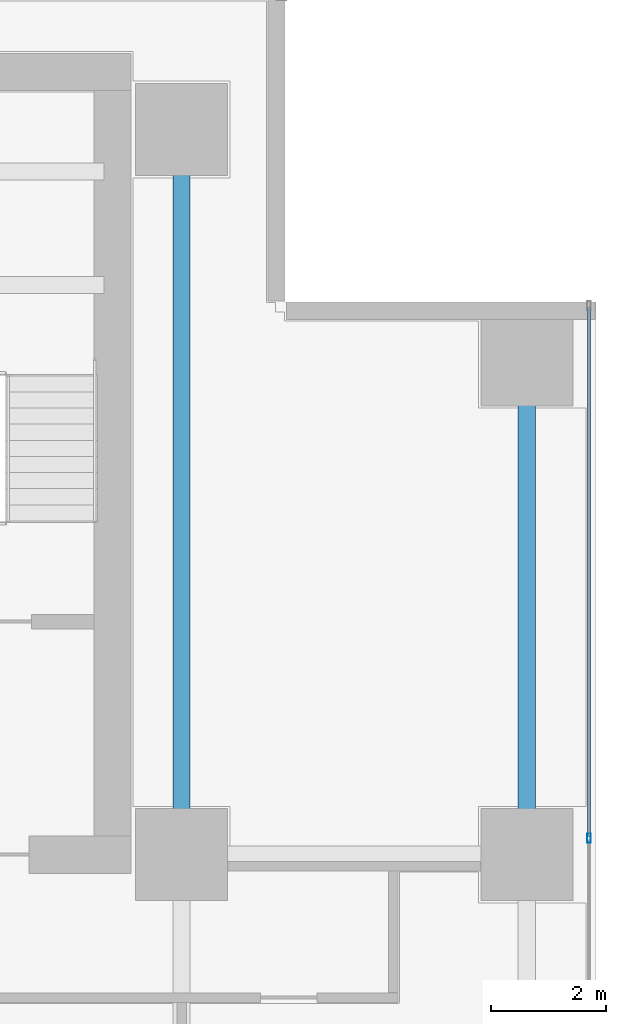
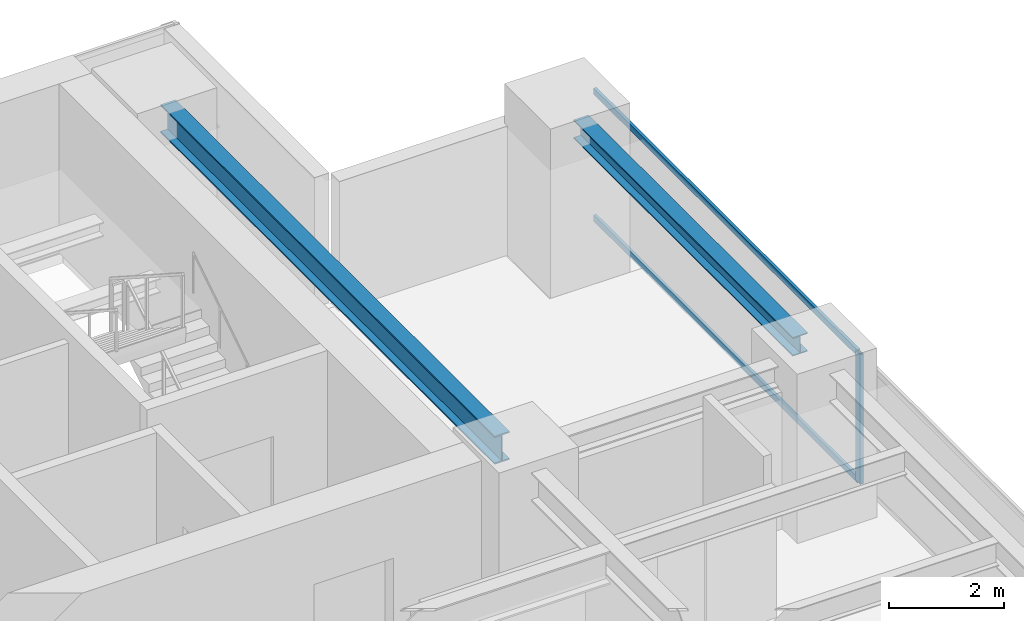
# One storey, part 18 of 27: 3 members, 2 beams, 1 element without a shape of its own.
"""IFC4 building model written with IfcOpenShell, lengths in metres."""

from ifc_helpers import new_model, si_unit, direction, frame, origin, origin_2d, place, context, subcontext, project, spatial, hollow_rectangle, i_section, extrude, source, transform, mapped, material, layer, layer_set, material_profile, profile_set, type_object, element, aggregate, save


model = new_model("IFC4")

# Units and contexts
model_context = context("Model", 3, precision=1e-05, world=origin(), true_north=direction((0.0, 1.0)))
body_context = subcontext(model_context, "Body", "Model", "MODEL_VIEW")
ifc_project = project(units=[si_unit("LENGTHUNIT", "METRE"), si_unit("AREAUNIT", "SQUARE_METRE"), si_unit("VOLUMEUNIT", "CUBIC_METRE"), si_unit("PLANEANGLEUNIT", "RADIAN"), si_unit("MASSUNIT", "GRAM", prefix="KILO")], contexts=[model_context])

# Site, building, storey
site_placement = place(None, origin())
site = spatial("IfcSite", under=ifc_project, at=site_placement, CompositionType="ELEMENT")
building_placement = place(site_placement, origin())
building = spatial("IfcBuilding", under=site, at=building_placement, Name="Sumidabori Civic Tower", CompositionType="ELEMENT")
storey_placement = place(building_placement, frame((0.0, 0.0, 156.800048828125)))
storey = spatial("IfcBuildingStorey", under=building, at=storey_placement, Name="L40", CompositionType="ELEMENT", Elevation=156.800048828125)

# Beams
ifc_material_1 = material(Name="Steel SN490", Category="steel")
ifc_material_profile_1 = material_profile(ifc_material_1, i_section(OverallWidth=0.300048828125, OverallDepth=0.39990234375, WebThickness=0.013427734375, FlangeThickness=0.02392578125, at=origin_2d()), Name="HE 400 B")
ifc_profile_set_1 = profile_set([ifc_material_profile_1], Name="Steel SN490")
beam_type_1 = type_object("IfcBeamType", Name="BM-GIRD-400", PredefinedType="BEAM", material=ifc_profile_set_1)
shared_shape_1 = source(origin(), body_context, "Body", "SweptSolid", [
    extrude(i_section(OverallWidth=0.300048828125, OverallDepth=0.39990234375, WebThickness=0.013427734375, FlangeThickness=0.02392578125, at=origin_2d()), origin(), (0.0, 0.0, 1.0), 7.64013671875),
])
beam_1_placement = place(storey_placement, frame((22.800048828125, 10.679931640625, 3.179931640625), z_axis=(0.0, 1.0, 0.0), x_axis=(-1.0, 0.0, 0.0)))
element("IfcBeam", 1, at=beam_1_placement, inside=storey, type_object=beam_type_1, Name="Primary Girder L40 GY-38", PredefinedType="BEAM", context=body_context, shape_type="MappedRepresentation", body=[
    mapped(shared_shape_1, transform((0.0, 0.0, 0.0), x_axis=(1.0, 0.0, 0.0), y_axis=(0.0, 1.0, 0.0), z_axis=(0.0, 0.0, 1.0), scale=1.0)),
])
ifc_material_profile_2 = material_profile(ifc_material_1, i_section(OverallWidth=0.300048828125, OverallDepth=0.60009765625, WebThickness=0.015380859375, FlangeThickness=0.030029296875, at=origin_2d()), Name="HE 600 B")
ifc_profile_set_2 = profile_set([ifc_material_profile_2], Name="Steel SN490")
beam_type_2 = type_object("IfcBeamType", Name="BM-GIRD-600", PredefinedType="BEAM", material=ifc_profile_set_2)
shared_shape_2 = source(origin(), body_context, "Body", "SweptSolid", [
    extrude(i_section(OverallWidth=0.300048828125, OverallDepth=0.60009765625, WebThickness=0.015380859375, FlangeThickness=0.030029296875, at=origin_2d()), origin(), (0.0, 0.0, 1.0), 11.64013671875),
])
beam_2_placement = place(storey_placement, frame((16.800048828125, 10.679931640625, 3.079833984375), z_axis=(0.0, 1.0, 0.0), x_axis=(-1.0, 0.0, 0.0)))
element("IfcBeam", 2, at=beam_2_placement, inside=storey, type_object=beam_type_2, Name="Primary Girder L40 GY-35", PredefinedType="BEAM", context=body_context, shape_type="MappedRepresentation", body=[
    mapped(shared_shape_2, transform((0.0, 0.0, 0.0), x_axis=(1.0, 0.0, 0.0), y_axis=(0.0, 1.0, 0.0), z_axis=(0.0, 0.0, 1.0), scale=1.0)),
])

# Curtain wall, members
ifc_material_2 = material(Name="Anodised Bronze Aluminium AW-6063-T6", Category="aluminium")
ifc_layer = layer(ifc_material_2, 0.179931640625, Name="Anodised Bronze Aluminium AW-6063-T6")
ifc_layer_set = layer_set([ifc_layer], Name="Anodised Bronze Aluminium AW-6063-T6")
curtain_wall_type = type_object("IfcCurtainWallType", Name="CW-SYS-3", PredefinedType="NOTDEFINED", material=ifc_layer_set)
curtain_wall_placement = place(storey_placement, origin())
curtain_wall = element("IfcCurtainWall", 3, at=curtain_wall_placement, inside=storey, type_object=curtain_wall_type, Name="Curtain Wall CW:L40:R04", PredefinedType="NOTDEFINED")
ifc_material_profile_3 = material_profile(ifc_material_2, hollow_rectangle(XDim=0.06494140625, YDim=0.159912109375, WallThickness=0.0048828125, at=origin_2d()), Name="ALU MULLION 160x65")
ifc_profile_set_3 = profile_set([ifc_material_profile_3], Name="Anodised Bronze Aluminium AW-6063-T6")
member_type_1 = type_object("IfcMemberType", Name="CW-MUL-160", PredefinedType="MULLION", material=ifc_profile_set_3)
shared_shape_3 = source(origin(), body_context, "Body", "SweptSolid", [
    extrude(hollow_rectangle(XDim=0.06494140625, YDim=0.159912109375, WallThickness=0.0048828125, at=origin_2d()), origin(), (0.0, 0.0, 1.0), 2.760009765625),
])
member_1_placement = place(storey_placement, frame((23.8798828125, 10.485107421875, 0.0), z_axis=(0.0, 0.0, 1.0), x_axis=(-1.0, 0.0, 0.0)))
member_1 = element("IfcMember", 4, at=member_1_placement, type_object=member_type_1, Name="CW-3 mullion 4", PredefinedType="MULLION", context=body_context, shape_type="MappedRepresentation", body=[
    mapped(shared_shape_3, transform((0.0, 0.0, 0.0), x_axis=(1.0, 0.0, 0.0), y_axis=(0.0, 1.0, 0.0), z_axis=(0.0, 0.0, 1.0), scale=1.0)),
])
ifc_material_profile_4 = material_profile(ifc_material_2, hollow_rectangle(XDim=0.06005859375, YDim=0.1298828125, WallThickness=0.0048828125, at=origin_2d()), Name="ALU TRANSOM 130x60")
ifc_profile_set_4 = profile_set([ifc_material_profile_4], Name="Anodised Bronze Aluminium AW-6063-T6")
member_type_2 = type_object("IfcMemberType", Name="CW-TRN-130", PredefinedType="USERDEFINED", material=ifc_profile_set_4)
shared_shape_4 = source(origin(), body_context, "Body", "SweptSolid", [
    extrude(hollow_rectangle(XDim=0.06005859375, YDim=0.1298828125, WallThickness=0.0048828125, at=origin_2d()), origin(), (0.0, 0.0, 1.0), 9.1875),
])
member_2_placement = place(storey_placement, frame((23.8798828125, 10.517578125, 0.030029296875), z_axis=(0.0, 1.0, 0.0), x_axis=(-1.0, 0.0, 0.0)))
member_2 = element("IfcMember", 5, at=member_2_placement, type_object=member_type_2, Name="CW-3 transom 4.1", ObjectType="TRANSOM", PredefinedType="USERDEFINED", context=body_context, shape_type="MappedRepresentation", body=[
    mapped(shared_shape_4, transform((0.0, 0.0, 0.0), x_axis=(1.0, 0.0, 0.0), y_axis=(0.0, 1.0, 0.0), z_axis=(0.0, 0.0, 1.0), scale=1.0)),
])
member_3_placement = place(storey_placement, frame((23.8798828125, 10.517578125, 2.72998046875), z_axis=(0.0, 1.0, 0.0), x_axis=(-1.0, 0.0, 0.0)))
member_3 = element("IfcMember", 6, at=member_3_placement, type_object=member_type_2, Name="CW-3 transom 4.2", ObjectType="TRANSOM", PredefinedType="USERDEFINED", context=body_context, shape_type="MappedRepresentation", body=[
    mapped(shared_shape_4, transform((0.0, 0.0, 0.0), x_axis=(1.0, 0.0, 0.0), y_axis=(0.0, 1.0, 0.0), z_axis=(0.0, 0.0, 1.0), scale=1.0)),
])
aggregate(curtain_wall, [member_1, member_2, member_3])

save(model, "model.ifc")
